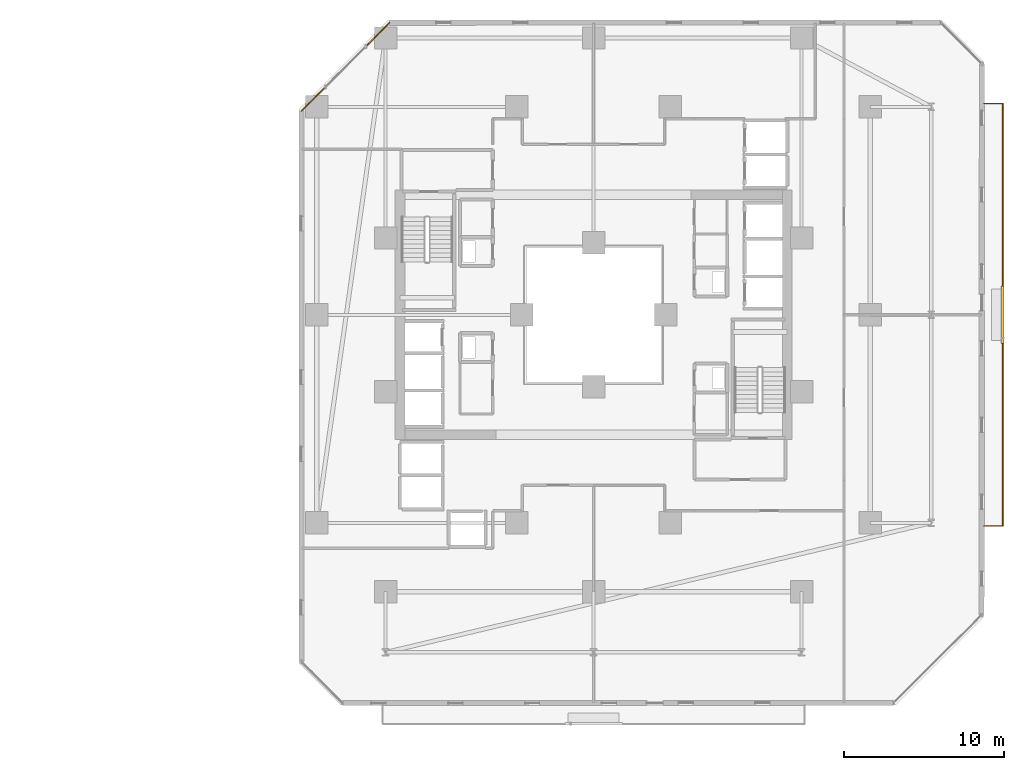
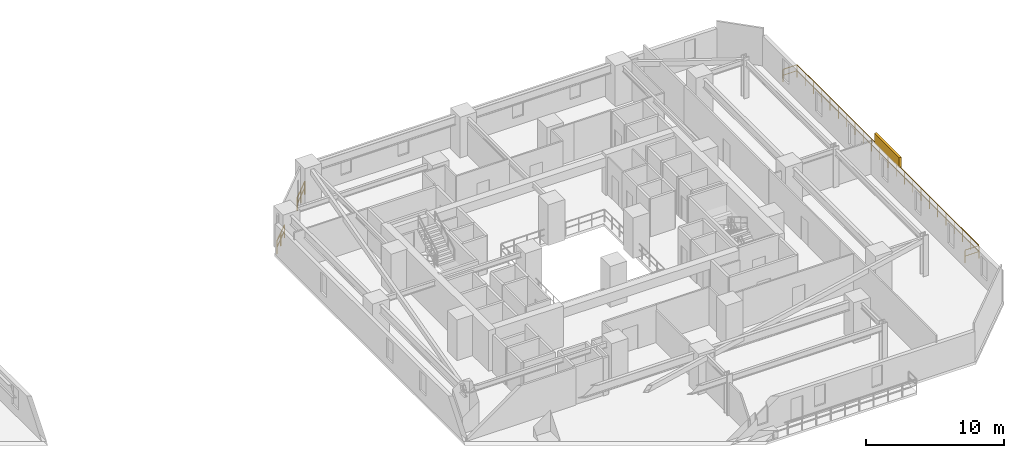
# One storey, part 33 of 33: 3 railings, 1 shading device.
"""IFC4 building model written with IfcOpenShell, lengths in metres."""

from ifc_helpers import new_model, si_unit, direction, frame, origin, origin_2d, place, context, subcontext, project, spatial, rectangle, extrude, material, type_object, element, save


model = new_model("IFC4")

# Units and contexts
model_context = context("Model", 3, precision=1e-05, world=origin(), true_north=direction((0.0, 1.0)))
body_context = subcontext(model_context, "Body", "Model", "MODEL_VIEW")
ifc_project = project(units=[si_unit("LENGTHUNIT", "METRE"), si_unit("AREAUNIT", "SQUARE_METRE"), si_unit("VOLUMEUNIT", "CUBIC_METRE"), si_unit("PLANEANGLEUNIT", "RADIAN"), si_unit("MASSUNIT", "GRAM", prefix="KILO")], contexts=[model_context])

# Site, building, storey
site_placement = place(None, origin())
site = spatial("IfcSite", under=ifc_project, at=site_placement, CompositionType="ELEMENT")
building_placement = place(site_placement, origin())
building = spatial("IfcBuilding", under=site, at=building_placement, Name="Thornwick Lancets Civic Towers", CompositionType="ELEMENT")
storey_placement = place(building_placement, frame((0.0, 0.0, 35.10009765625)))
storey = spatial("IfcBuildingStorey", under=building, at=storey_placement, Name="L08", CompositionType="ELEMENT", Elevation=35.10009765625)

# Railings
ifc_material_1 = material(Name="Terracotta-capped laminated glass balustrade S355", Category="masonry")
railing_type = type_object("IfcRailingType", Name="RAIL_TERR_GUARD", PredefinedType="GUARDRAIL", material=ifc_material_1)
for number, where, name in (
    (1, (75.752197265625, 45.25537109375, 0.0), "L08 Tower B Chamfer Spandrel Guard E5-1"),
    (2, (71.732421875, 41.235595703125, 0.0), "L08 Tower B Chamfer Spandrel Guard E5-2"),
):
    element("IfcRailing", number, at=place(storey_placement, frame(where)), inside=storey, type_object=railing_type, Name=name, PredefinedType="GUARDRAIL", context=body_context, shape_type="SweptSolid", body=[
        extrude(rectangle(XDim=0.048095703125, YDim=0.048095703125, at=origin_2d()), frame((0.0, 0.0, 1.1259765625), z_axis=(-0.707106781187, -0.707106781187, 0.0), x_axis=(0.707106781187, -0.707106781187, 0.0)), (0.0, 0.0, 1.0), 2.10400390625),
        extrude(rectangle(XDim=0.0419921875, YDim=0.0419921875, at=origin_2d()), frame((-0.026611328125, -0.026611328125, 0.597900390625), z_axis=(-0.707106781187, -0.707106781187, 0.0), x_axis=(0.707106781187, -0.707106781187, 0.0)), (0.0, 0.0, 1.0), 0.97705078125),
        extrude(rectangle(XDim=0.0419921875, YDim=0.0419921875, at=origin_2d()), frame((-0.7705078125, -0.7705078125, 0.597900390625), z_axis=(-0.707106781187, -0.707106781187, 0.0), x_axis=(0.707106781187, -0.707106781187, 0.0)), (0.0, 0.0, 1.0), 0.97705078125),
        extrude(rectangle(XDim=0.0419921875, YDim=0.0419921875, at=origin_2d()), origin(), (0.0, 0.0, 1.0), 1.095703125),
        extrude(rectangle(XDim=0.0419921875, YDim=0.0419921875, at=origin_2d()), frame((-0.743896484375, -0.743896484375, 0.0)), (0.0, 0.0, 1.0), 1.095703125),
        extrude(rectangle(XDim=0.0419921875, YDim=0.0419921875, at=origin_2d()), frame((-1.48779296875, -1.48779296875, 0.0)), (0.0, 0.0, 1.0), 1.095703125),
    ])
railing_placement = place(storey_placement, frame((112.89990234375, 13.800048828125, 0.0)))
element("IfcRailing", 3, at=railing_placement, inside=storey, type_object=railing_type, Name="L08 Tower B Balcony Guard E", PredefinedType="GUARDRAIL", context=body_context, shape_type="SweptSolid", body=[
    extrude(rectangle(XDim=0.048095703125, YDim=0.048095703125, at=origin_2d()), frame((0.0, 0.0, 1.1259765625), z_axis=(1.0, 0.0, 0.0), x_axis=(0.0, 1.0, 0.0)), (0.0, 0.0, 1.0), 1.138916015625),
    extrude(rectangle(XDim=0.0419921875, YDim=0.0419921875, at=origin_2d()), frame((0.03759765625, 0.0, 0.597900390625), z_axis=(1.0, 0.0, 0.0), x_axis=(0.0, 1.0, 0.0)), (0.0, 0.0, 1.0), 1.09521484375),
    extrude(rectangle(XDim=0.048095703125, YDim=0.048095703125, at=origin_2d()), frame((1.170166015625, 0.03125, 1.1259765625), z_axis=(0.0, 1.0, 0.0), x_axis=(-1.0, 0.0, 0.0)), (0.0, 0.0, 1.0), 26.33740234375),
    extrude(rectangle(XDim=0.0419921875, YDim=0.0419921875, at=origin_2d()), frame((1.170166015625, 0.03759765625, 0.597900390625), z_axis=(0.0, 1.0, 0.0), x_axis=(-1.0, 0.0, 0.0)), (0.0, 0.0, 1.0), 1.125),
    extrude(rectangle(XDim=0.0419921875, YDim=0.0419921875, at=origin_2d()), frame((1.170166015625, 1.237548828125, 0.597900390625), z_axis=(0.0, 1.0, 0.0), x_axis=(-1.0, 0.0, 0.0)), (0.0, 0.0, 1.0), 1.125),
    extrude(rectangle(XDim=0.0419921875, YDim=0.0419921875, at=origin_2d()), frame((1.170166015625, 2.4375, 0.597900390625), z_axis=(0.0, 1.0, 0.0), x_axis=(-1.0, 0.0, 0.0)), (0.0, 0.0, 1.0), 1.125),
    extrude(rectangle(XDim=0.0419921875, YDim=0.0419921875, at=origin_2d()), frame((1.170166015625, 3.637451171875, 0.597900390625), z_axis=(0.0, 1.0, 0.0), x_axis=(-1.0, 0.0, 0.0)), (0.0, 0.0, 1.0), 1.125),
    extrude(rectangle(XDim=0.0419921875, YDim=0.0419921875, at=origin_2d()), frame((1.170166015625, 4.83740234375, 0.597900390625), z_axis=(0.0, 1.0, 0.0), x_axis=(-1.0, 0.0, 0.0)), (0.0, 0.0, 1.0), 1.125),
    extrude(rectangle(XDim=0.0419921875, YDim=0.0419921875, at=origin_2d()), frame((1.170166015625, 6.037353515625, 0.597900390625), z_axis=(0.0, 1.0, 0.0), x_axis=(-1.0, 0.0, 0.0)), (0.0, 0.0, 1.0), 1.125),
    extrude(rectangle(XDim=0.0419921875, YDim=0.0419921875, at=origin_2d()), frame((1.170166015625, 7.237548828125, 0.597900390625), z_axis=(0.0, 1.0, 0.0), x_axis=(-1.0, 0.0, 0.0)), (0.0, 0.0, 1.0), 1.125),
    extrude(rectangle(XDim=0.0419921875, YDim=0.0419921875, at=origin_2d()), frame((1.170166015625, 8.4375, 0.597900390625), z_axis=(0.0, 1.0, 0.0), x_axis=(-1.0, 0.0, 0.0)), (0.0, 0.0, 1.0), 1.125),
    extrude(rectangle(XDim=0.0419921875, YDim=0.0419921875, at=origin_2d()), frame((1.170166015625, 9.637451171875, 0.597900390625), z_axis=(0.0, 1.0, 0.0), x_axis=(-1.0, 0.0, 0.0)), (0.0, 0.0, 1.0), 1.125),
    extrude(rectangle(XDim=0.0419921875, YDim=0.0419921875, at=origin_2d()), frame((1.170166015625, 10.83740234375, 0.597900390625), z_axis=(0.0, 1.0, 0.0), x_axis=(-1.0, 0.0, 0.0)), (0.0, 0.0, 1.0), 1.125),
    extrude(rectangle(XDim=0.0419921875, YDim=0.0419921875, at=origin_2d()), frame((1.170166015625, 12.037353515625, 0.597900390625), z_axis=(0.0, 1.0, 0.0), x_axis=(-1.0, 0.0, 0.0)), (0.0, 0.0, 1.0), 1.125),
    extrude(rectangle(XDim=0.0419921875, YDim=0.0419921875, at=origin_2d()), frame((1.170166015625, 13.237548828125, 0.597900390625), z_axis=(0.0, 1.0, 0.0), x_axis=(-1.0, 0.0, 0.0)), (0.0, 0.0, 1.0), 1.125),
    extrude(rectangle(XDim=0.0419921875, YDim=0.0419921875, at=origin_2d()), frame((1.170166015625, 14.4375, 0.597900390625), z_axis=(0.0, 1.0, 0.0), x_axis=(-1.0, 0.0, 0.0)), (0.0, 0.0, 1.0), 1.125),
    extrude(rectangle(XDim=0.0419921875, YDim=0.0419921875, at=origin_2d()), frame((1.170166015625, 15.637451171875, 0.597900390625), z_axis=(0.0, 1.0, 0.0), x_axis=(-1.0, 0.0, 0.0)), (0.0, 0.0, 1.0), 1.125),
    extrude(rectangle(XDim=0.0419921875, YDim=0.0419921875, at=origin_2d()), frame((1.170166015625, 16.83740234375, 0.597900390625), z_axis=(0.0, 1.0, 0.0), x_axis=(-1.0, 0.0, 0.0)), (0.0, 0.0, 1.0), 1.125),
    extrude(rectangle(XDim=0.0419921875, YDim=0.0419921875, at=origin_2d()), frame((1.170166015625, 18.037353515625, 0.597900390625), z_axis=(0.0, 1.0, 0.0), x_axis=(-1.0, 0.0, 0.0)), (0.0, 0.0, 1.0), 1.125),
    extrude(rectangle(XDim=0.0419921875, YDim=0.0419921875, at=origin_2d()), frame((1.170166015625, 19.2373046875, 0.597900390625), z_axis=(0.0, 1.0, 0.0), x_axis=(-1.0, 0.0, 0.0)), (0.0, 0.0, 1.0), 1.125),
    extrude(rectangle(XDim=0.0419921875, YDim=0.0419921875, at=origin_2d()), frame((1.170166015625, 20.4375, 0.597900390625), z_axis=(0.0, 1.0, 0.0), x_axis=(-1.0, 0.0, 0.0)), (0.0, 0.0, 1.0), 1.125),
    extrude(rectangle(XDim=0.0419921875, YDim=0.0419921875, at=origin_2d()), frame((1.170166015625, 21.637451171875, 0.597900390625), z_axis=(0.0, 1.0, 0.0), x_axis=(-1.0, 0.0, 0.0)), (0.0, 0.0, 1.0), 1.125),
    extrude(rectangle(XDim=0.0419921875, YDim=0.0419921875, at=origin_2d()), frame((1.170166015625, 22.83740234375, 0.597900390625), z_axis=(0.0, 1.0, 0.0), x_axis=(-1.0, 0.0, 0.0)), (0.0, 0.0, 1.0), 1.125),
    extrude(rectangle(XDim=0.0419921875, YDim=0.0419921875, at=origin_2d()), frame((1.170166015625, 24.037353515625, 0.597900390625), z_axis=(0.0, 1.0, 0.0), x_axis=(-1.0, 0.0, 0.0)), (0.0, 0.0, 1.0), 1.125),
    extrude(rectangle(XDim=0.0419921875, YDim=0.0419921875, at=origin_2d()), frame((1.170166015625, 25.2373046875, 0.597900390625), z_axis=(0.0, 1.0, 0.0), x_axis=(-1.0, 0.0, 0.0)), (0.0, 0.0, 1.0), 1.125),
    extrude(rectangle(XDim=0.048095703125, YDim=0.048095703125, at=origin_2d()), frame((1.138916015625, 26.39990234375, 1.1259765625), z_axis=(-1.0, 0.0, 0.0), x_axis=(0.0, -1.0, 0.0)), (0.0, 0.0, 1.0), 1.138916015625),
    extrude(rectangle(XDim=0.0419921875, YDim=0.0419921875, at=origin_2d()), frame((1.132568359375, 26.39990234375, 0.597900390625), z_axis=(-1.0, 0.0, 0.0), x_axis=(0.0, -1.0, 0.0)), (0.0, 0.0, 1.0), 1.09521484375),
    extrude(rectangle(XDim=0.0419921875, YDim=0.0419921875, at=origin_2d()), origin(), (0.0, 0.0, 1.0), 1.095703125),
    extrude(rectangle(XDim=0.0419921875, YDim=0.0419921875, at=origin_2d()), frame((1.170166015625, 0.0, 0.0)), (0.0, 0.0, 1.0), 1.095703125),
    extrude(rectangle(XDim=0.0419921875, YDim=0.0419921875, at=origin_2d()), frame((1.170166015625, 1.199951171875, 0.0)), (0.0, 0.0, 1.0), 1.095703125),
    extrude(rectangle(XDim=0.0419921875, YDim=0.0419921875, at=origin_2d()), frame((1.170166015625, 2.39990234375, 0.0)), (0.0, 0.0, 1.0), 1.095703125),
    extrude(rectangle(XDim=0.0419921875, YDim=0.0419921875, at=origin_2d()), frame((1.170166015625, 3.60009765625, 0.0)), (0.0, 0.0, 1.0), 1.095703125),
    extrude(rectangle(XDim=0.0419921875, YDim=0.0419921875, at=origin_2d()), frame((1.170166015625, 4.800048828125, 0.0)), (0.0, 0.0, 1.0), 1.095703125),
    extrude(rectangle(XDim=0.0419921875, YDim=0.0419921875, at=origin_2d()), frame((1.170166015625, 6.0, 0.0)), (0.0, 0.0, 1.0), 1.095703125),
    extrude(rectangle(XDim=0.0419921875, YDim=0.0419921875, at=origin_2d()), frame((1.170166015625, 7.199951171875, 0.0)), (0.0, 0.0, 1.0), 1.095703125),
    extrude(rectangle(XDim=0.0419921875, YDim=0.0419921875, at=origin_2d()), frame((1.170166015625, 8.39990234375, 0.0)), (0.0, 0.0, 1.0), 1.095703125),
    extrude(rectangle(XDim=0.0419921875, YDim=0.0419921875, at=origin_2d()), frame((1.170166015625, 9.599853515625, 0.0)), (0.0, 0.0, 1.0), 1.095703125),
    extrude(rectangle(XDim=0.0419921875, YDim=0.0419921875, at=origin_2d()), frame((1.170166015625, 10.800048828125, 0.0)), (0.0, 0.0, 1.0), 1.095703125),
    extrude(rectangle(XDim=0.0419921875, YDim=0.0419921875, at=origin_2d()), frame((1.170166015625, 12.0, 0.0)), (0.0, 0.0, 1.0), 1.095703125),
    extrude(rectangle(XDim=0.0419921875, YDim=0.0419921875, at=origin_2d()), frame((1.170166015625, 13.199951171875, 0.0)), (0.0, 0.0, 1.0), 1.095703125),
    extrude(rectangle(XDim=0.0419921875, YDim=0.0419921875, at=origin_2d()), frame((1.170166015625, 14.39990234375, 0.0)), (0.0, 0.0, 1.0), 1.095703125),
    extrude(rectangle(XDim=0.0419921875, YDim=0.0419921875, at=origin_2d()), frame((1.170166015625, 15.599853515625, 0.0)), (0.0, 0.0, 1.0), 1.095703125),
    extrude(rectangle(XDim=0.0419921875, YDim=0.0419921875, at=origin_2d()), frame((1.170166015625, 16.800048828125, 0.0)), (0.0, 0.0, 1.0), 1.095703125),
    extrude(rectangle(XDim=0.0419921875, YDim=0.0419921875, at=origin_2d()), frame((1.170166015625, 18.0, 0.0)), (0.0, 0.0, 1.0), 1.095703125),
    extrude(rectangle(XDim=0.0419921875, YDim=0.0419921875, at=origin_2d()), frame((1.170166015625, 19.199951171875, 0.0)), (0.0, 0.0, 1.0), 1.095703125),
    extrude(rectangle(XDim=0.0419921875, YDim=0.0419921875, at=origin_2d()), frame((1.170166015625, 20.39990234375, 0.0)), (0.0, 0.0, 1.0), 1.095703125),
    extrude(rectangle(XDim=0.0419921875, YDim=0.0419921875, at=origin_2d()), frame((1.170166015625, 21.599853515625, 0.0)), (0.0, 0.0, 1.0), 1.095703125),
    extrude(rectangle(XDim=0.0419921875, YDim=0.0419921875, at=origin_2d()), frame((1.170166015625, 22.7998046875, 0.0)), (0.0, 0.0, 1.0), 1.095703125),
    extrude(rectangle(XDim=0.0419921875, YDim=0.0419921875, at=origin_2d()), frame((1.170166015625, 24.0, 0.0)), (0.0, 0.0, 1.0), 1.095703125),
    extrude(rectangle(XDim=0.0419921875, YDim=0.0419921875, at=origin_2d()), frame((1.170166015625, 25.199951171875, 0.0)), (0.0, 0.0, 1.0), 1.095703125),
    extrude(rectangle(XDim=0.0419921875, YDim=0.0419921875, at=origin_2d()), frame((1.170166015625, 26.39990234375, 0.0)), (0.0, 0.0, 1.0), 1.095703125),
    extrude(rectangle(XDim=0.0419921875, YDim=0.0419921875, at=origin_2d()), frame((0.0, 26.39990234375, 0.0)), (0.0, 0.0, 1.0), 1.095703125),
])

# Shading device
ifc_material_2 = material(Name="Extruded terracotta baguette solar screen", Category="masonry")
shading_device_type = type_object("IfcShadingDeviceType", Name="SHADE_BAGUETTE", PredefinedType="JALOUSIE", material=ifc_material_2)
shading_device_placement = place(storey_placement, frame((114.06005859375, 27.0, 1.119873046875), z_axis=(0.0, 0.0, 1.0), x_axis=(0.0, 1.0, 0.0)))
element("IfcShadingDevice", 4, at=shading_device_placement, inside=storey, type_object=shading_device_type, Name="L08 Tower B Terracotta Baguette Screen E", PredefinedType="JALOUSIE", context=body_context, shape_type="SweptSolid", body=[
    extrude(rectangle(XDim=3.60009765625, YDim=0.179931640625, at=origin_2d()), origin(), (0.0, 0.0, 1.0), 0.89990234375),
])

save(model, "model.ifc")
